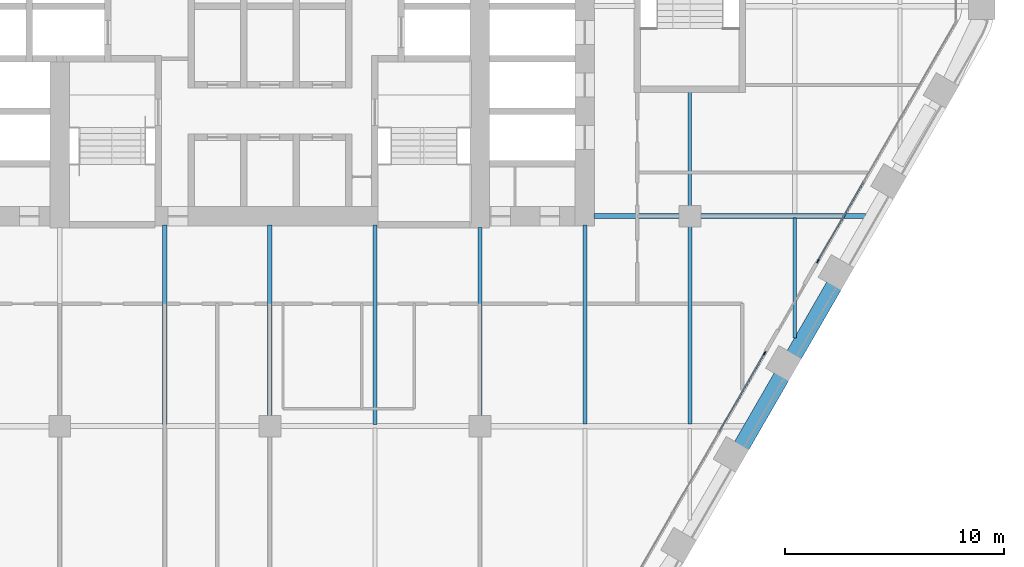
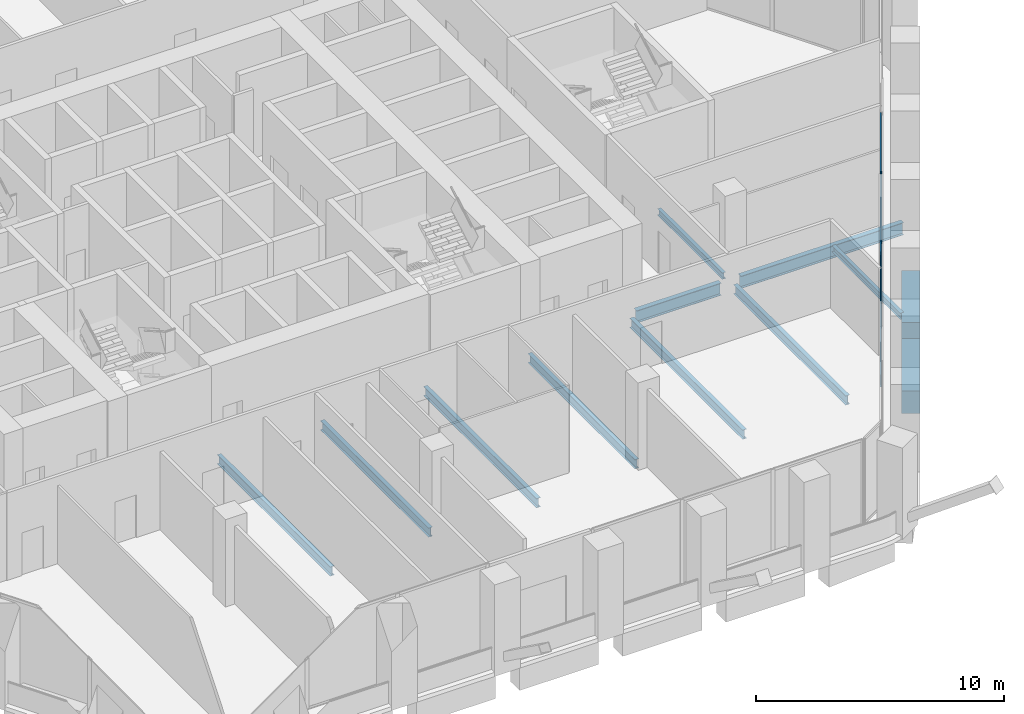
# One storey, part 5 of 26: 12 beams, 6 members, 2 elements without a shape of their own.
"""IFC4 building model written with IfcOpenShell, lengths in metres."""

from ifc_helpers import new_model, si_unit, direction, frame, origin, origin_2d, place, context, subcontext, project, spatial, rectangle, i_section, extrude, material, material_profile, profile_set, type_object, element, aggregate, save


model = new_model("IFC4")

# Units and contexts
model_context = context("Model", 3, precision=1e-05, world=origin(), true_north=direction((0.0, 1.0)))
body_context = subcontext(model_context, "Body", "Model", "MODEL_VIEW")
ifc_project = project(units=[si_unit("LENGTHUNIT", "METRE"), si_unit("AREAUNIT", "SQUARE_METRE"), si_unit("VOLUMEUNIT", "CUBIC_METRE"), si_unit("PLANEANGLEUNIT", "RADIAN"), si_unit("MASSUNIT", "GRAM", prefix="KILO")], contexts=[model_context])

# Site, building, storey
site_placement = place(None, origin())
site = spatial("IfcSite", under=ifc_project, at=site_placement, CompositionType="ELEMENT")
building_placement = place(site_placement, origin())
building = spatial("IfcBuilding", under=site, at=building_placement, Name="Kolab Exchange Tower", CompositionType="ELEMENT")
storey_placement = place(building_placement, frame((0.0, 0.0, 104.89990234375)))
storey = spatial("IfcBuildingStorey", under=building, at=storey_placement, Name="L20", CompositionType="ELEMENT", Elevation=104.89990234375)

# Beams
ifc_material_1 = material(Name="Steel S355", Category="steel")
ifc_material_profile_1 = material_profile(ifc_material_1, i_section(OverallWidth=0.1650390625, OverallDepth=0.31005859375, WebThickness=0.005859375, FlangeThickness=0.009765625, at=origin_2d()), Name="W310X39")
ifc_profile_set_1 = profile_set([ifc_material_profile_1], Name="Steel S355")
beam_type_1 = type_object("IfcBeamType", Name="FLOOR BEAM W310X39", PredefinedType="BEAM", material=ifc_profile_set_1)
beam_1_placement = place(storey_placement, frame((19.199951171875, -9.139892578125, -0.35498046875), z_axis=(0.0, 1.0, 0.0), x_axis=(-1.0, 0.0, 0.0)))
element("IfcBeam", 1, at=beam_1_placement, inside=storey, type_object=beam_type_1, Name="beam/L20/fr/042", PredefinedType="BEAM", context=body_context, shape_type="SweptSolid", body=[
    extrude(i_section(OverallWidth=0.1650390625, OverallDepth=0.31005859375, WebThickness=0.005859375, FlangeThickness=0.009765625, at=origin_2d()), origin(), (0.0, 0.0, 1.0), 5.22998046875),
])
beam_2_placement = place(storey_placement, frame((24.0, -15.167724609375, -0.35498046875), z_axis=(0.0, 1.0, 0.0), x_axis=(-1.0, 0.0, 0.0)))
element("IfcBeam", 2, at=beam_2_placement, inside=storey, type_object=beam_type_1, Name="beam/L20/fr/046", PredefinedType="BEAM", context=body_context, shape_type="SweptSolid", body=[
    extrude(i_section(OverallWidth=0.1650390625, OverallDepth=0.31005859375, WebThickness=0.005859375, FlangeThickness=0.009765625, at=origin_2d()), origin(), (0.0, 0.0, 1.0), 5.49365234375),
])
ifc_material_profile_2 = material_profile(ifc_material_1, i_section(OverallWidth=0.18994140625, OverallDepth=0.45703125, WebThickness=0.009033203125, FlangeThickness=0.014404296875, at=origin_2d()), Name="W460X74")
ifc_profile_set_2 = profile_set([ifc_material_profile_2], Name="Steel S355")
beam_type_2 = type_object("IfcBeamType", Name="FLOOR BEAM W460X74", PredefinedType="BEAM", material=ifc_profile_set_2)
beam_3_placement = place(storey_placement, frame((-4.800048828125, -19.1259765625, -0.428466796875), z_axis=(0.0, 1.0, 0.0), x_axis=(-1.0, 0.0, 0.0)))
element("IfcBeam", 3, at=beam_3_placement, inside=storey, type_object=beam_type_2, Name="beam/L20/fr/021", PredefinedType="BEAM", context=body_context, shape_type="SweptSolid", body=[
    extrude(i_section(OverallWidth=0.18994140625, OverallDepth=0.45703125, WebThickness=0.009033203125, FlangeThickness=0.014404296875, at=origin_2d()), origin(), (0.0, 0.0, 1.0), 9.115966796875),
])
beam_4_placement = place(storey_placement, frame((0.0, -18.739990234375, -0.428466796875), z_axis=(0.0, 1.0, 0.0), x_axis=(-1.0, 0.0, 0.0)))
element("IfcBeam", 4, at=beam_4_placement, inside=storey, type_object=beam_type_2, Name="beam/L20/fr/025", PredefinedType="BEAM", context=body_context, shape_type="SweptSolid", body=[
    extrude(i_section(OverallWidth=0.18994140625, OverallDepth=0.45703125, WebThickness=0.009033203125, FlangeThickness=0.014404296875, at=origin_2d()), origin(), (0.0, 0.0, 1.0), 8.72998046875),
])
beam_5_placement = place(storey_placement, frame((4.800048828125, -19.1259765625, -0.428466796875), z_axis=(0.0, 1.0, 0.0), x_axis=(-1.0, 0.0, 0.0)))
element("IfcBeam", 5, at=beam_5_placement, inside=storey, type_object=beam_type_2, Name="beam/L20/fr/029", PredefinedType="BEAM", context=body_context, shape_type="SweptSolid", body=[
    extrude(i_section(OverallWidth=0.18994140625, OverallDepth=0.45703125, WebThickness=0.009033203125, FlangeThickness=0.014404296875, at=origin_2d()), origin(), (0.0, 0.0, 1.0), 9.115966796875),
])
beam_6_placement = place(storey_placement, frame((9.60009765625, -18.739990234375, -0.428466796875), z_axis=(0.0, 1.0, 0.0), x_axis=(-1.0, 0.0, 0.0)))
element("IfcBeam", 6, at=beam_6_placement, inside=storey, type_object=beam_type_2, Name="beam/L20/fr/033", PredefinedType="BEAM", context=body_context, shape_type="SweptSolid", body=[
    extrude(i_section(OverallWidth=0.18994140625, OverallDepth=0.45703125, WebThickness=0.009033203125, FlangeThickness=0.014404296875, at=origin_2d()), origin(), (0.0, 0.0, 1.0), 8.6298828125),
])
beam_7_placement = place(storey_placement, frame((14.39990234375, -19.1064453125, -0.428466796875), z_axis=(0.0, 1.0, 0.0), x_axis=(-1.0, 0.0, 0.0)))
element("IfcBeam", 7, at=beam_7_placement, inside=storey, type_object=beam_type_2, Name="beam/L20/fr/037", PredefinedType="BEAM", context=body_context, shape_type="SweptSolid", body=[
    extrude(i_section(OverallWidth=0.18994140625, OverallDepth=0.45703125, WebThickness=0.009033203125, FlangeThickness=0.014404296875, at=origin_2d()), origin(), (0.0, 0.0, 1.0), 9.096435546875),
])
beam_8_placement = place(storey_placement, frame((19.199951171875, -19.1064453125, -0.428466796875), z_axis=(0.0, 1.0, 0.0), x_axis=(-1.0, 0.0, 0.0)))
element("IfcBeam", 8, at=beam_8_placement, inside=storey, type_object=beam_type_2, Name="beam/L20/fr/041", PredefinedType="BEAM", context=body_context, shape_type="SweptSolid", body=[
    extrude(i_section(OverallWidth=0.18994140625, OverallDepth=0.45703125, WebThickness=0.009033203125, FlangeThickness=0.014404296875, at=origin_2d()), origin(), (0.0, 0.0, 1.0), 9.04638671875),
])
ifc_material_profile_3 = material_profile(ifc_material_1, i_section(OverallWidth=0.22802734375, OverallDepth=0.60791015625, WebThickness=0.01123046875, FlangeThickness=0.017333984375, at=origin_2d()), Name="W610X113")
ifc_profile_set_3 = profile_set([ifc_material_profile_3], Name="Steel S355")
beam_type_3 = type_object("IfcBeamType", Name="FLOOR GIRDER W610X113", PredefinedType="BEAM", material=ifc_profile_set_3)
beam_9_placement = place(storey_placement, frame((14.81005859375, -9.60009765625, -0.50390625), z_axis=(1.0, 0.0, 0.0), x_axis=(0.0, 1.0, 0.0)))
element("IfcBeam", 9, at=beam_9_placement, inside=storey, type_object=beam_type_3, Name="beam/L20/gd/014", PredefinedType="BEAM", context=body_context, shape_type="SweptSolid", body=[
    extrude(i_section(OverallWidth=0.22802734375, OverallDepth=0.60791015625, WebThickness=0.01123046875, FlangeThickness=0.017333984375, at=origin_2d()), origin(), (0.0, 0.0, 1.0), 3.929931640625),
])
beam_10_placement = place(storey_placement, frame((19.659912109375, -9.60009765625, -0.50390625), z_axis=(1.0, 0.0, 0.0), x_axis=(0.0, 1.0, 0.0)))
element("IfcBeam", 10, at=beam_10_placement, inside=storey, type_object=beam_type_3, Name="beam/L20/gd/017", PredefinedType="BEAM", context=body_context, shape_type="SweptSolid", body=[
    extrude(i_section(OverallWidth=0.22802734375, OverallDepth=0.60791015625, WebThickness=0.01123046875, FlangeThickness=0.017333984375, at=origin_2d()), origin(), (0.0, 0.0, 1.0), 7.571533203125),
])
ifc_material_2 = material(Name="Concrete C70/85", Category="concrete")
ifc_material_profile_4 = material_profile(ifc_material_2, rectangle(XDim=0.75, YDim=1.10009765625, at=origin_2d()), Name="RC750X1100")
ifc_profile_set_4 = profile_set([ifc_material_profile_4], Name="Concrete C70/85")
beam_type_4 = type_object("IfcBeamType", Name="SPANDREL BEAM 750X1100 C70/85", PredefinedType="BEAM", material=ifc_profile_set_4)
beam_11_placement = place(storey_placement, frame((25.795166015625, -12.768310546875, -0.75), z_axis=(-0.499963655964, -0.866046386007, 0.0), x_axis=(0.866046386007, -0.499963655964, 0.0)))
element("IfcBeam", 11, at=beam_11_placement, inside=storey, type_object=beam_type_4, Name="beam/L20/sp/F3-04", PredefinedType="BEAM", context=body_context, shape_type="SweptSolid", body=[
    extrude(rectangle(XDim=0.75, YDim=1.10009765625, at=origin_2d()), origin(), (0.0, 0.0, 1.0), 3.679931640625),
])
beam_12_placement = place(storey_placement, frame((23.395263671875, -16.925048828125, -0.75), z_axis=(-0.500013413428, -0.866017659399, 0.0), x_axis=(0.866017659399, -0.500013413428, 0.0)))
element("IfcBeam", 12, at=beam_12_placement, inside=storey, type_object=beam_type_4, Name="beam/L20/sp/F3-05", PredefinedType="BEAM", context=body_context, shape_type="SweptSolid", body=[
    extrude(rectangle(XDim=0.75, YDim=1.10009765625, at=origin_2d()), origin(), (0.0, 0.0, 1.0), 3.68017578125),
])

# Curtain wall, member
ifc_material_3 = material(Name="Aluminium EN AW-6063 T6", Category="aluminium")
curtain_wall_type = type_object("IfcCurtainWallType", Name="UNITISED LOWER MID ZONE CURTAIN WALL", PredefinedType="NOTDEFINED", material=ifc_material_3)
curtain_wall_1_placement = place(storey_placement, origin())
curtain_wall_1 = element("IfcCurtainWall", 13, at=curtain_wall_1_placement, inside=storey, type_object=curtain_wall_type, Name="cw/L20/F3-1", PredefinedType="NOTDEFINED")
ifc_material_profile_5 = material_profile(ifc_material_3, rectangle(XDim=0.06005859375, YDim=0.179931640625, at=origin_2d()), Name="RECT 60X180")
ifc_profile_set_5 = profile_set([ifc_material_profile_5], Name="Aluminium EN AW-6063 T6")
member_type_1 = type_object("IfcMemberType", Name="UNITISED LOWER MID ZONE MULLION 60 X 180", PredefinedType="MULLION", material=ifc_profile_set_5)
member_1_placement = place(storey_placement, frame((25.046630859375, -11.65478515625, 0.0), z_axis=(0.0, 0.0, 1.0), x_axis=(0.866025427826, -0.499999958358, 0.0)))
member_1 = element("IfcMember", 14, at=member_1_placement, type_object=member_type_1, Name="CW2 mullion 4", PredefinedType="MULLION", context=body_context, shape_type="SweptSolid", body=[
    extrude(rectangle(XDim=0.06005859375, YDim=0.179931640625, at=origin_2d()), origin(), (0.0, 0.0, 1.0), 4.2001953125),
])

curtain_wall_2_placement = place(storey_placement, origin())
curtain_wall_2 = element("IfcCurtainWall", 15, at=curtain_wall_2_placement, inside=storey, type_object=curtain_wall_type, Name="cw/L20/F3-2", PredefinedType="NOTDEFINED")
member_2_placement = place(storey_placement, frame((22.61669921875, -15.86376953125, 0.0), z_axis=(0.0, 0.0, 1.0), x_axis=(0.866025393644, -0.500000017564, 0.0)))
member_2 = element("IfcMember", 16, at=member_2_placement, type_object=member_type_1, Name="CW2 mullion 1", PredefinedType="MULLION", context=body_context, shape_type="SweptSolid", body=[
    extrude(rectangle(XDim=0.06005859375, YDim=0.179931640625, at=origin_2d()), origin(), (0.0, 0.0, 1.0), 4.2001953125),
])

# Member
ifc_material_profile_6 = material_profile(ifc_material_3, rectangle(XDim=0.06005859375, YDim=0.1201171875, at=origin_2d()), Name="RECT 60X120")
ifc_profile_set_6 = profile_set([ifc_material_profile_6], Name="Aluminium EN AW-6063 T6")
member_type_2 = type_object("IfcMemberType", Name="UNITISED LOWER MID ZONE TRANSOM 60 X 120", PredefinedType="USERDEFINED", material=ifc_profile_set_6)
member_3_placement = place(storey_placement, frame((27.1279296875, -8.0498046875, 0.030029296875), z_axis=(-0.499957688808, -0.866049830784, 0.0), x_axis=(0.866049830784, -0.499957688808, 0.0)))
member_3 = element("IfcMember", 17, at=member_3_placement, type_object=member_type_2, Name="CW2 transom 3.1", ObjectType="TRANSOM", PredefinedType="USERDEFINED", context=body_context, shape_type="SweptSolid", body=[
    extrude(rectangle(XDim=0.06005859375, YDim=0.1201171875, at=origin_2d()), origin(), (0.0, 0.0, 1.0), 4.132568359375),
])

member_4_placement = place(storey_placement, frame((27.1279296875, -8.0498046875, 4.170166015625), z_axis=(-0.499957688808, -0.866049830784, 0.0), x_axis=(0.866049830784, -0.499957688808, 0.0)))
member_4 = element("IfcMember", 18, at=member_4_placement, type_object=member_type_2, Name="CW2 transom 3.2", ObjectType="TRANSOM", PredefinedType="USERDEFINED", context=body_context, shape_type="SweptSolid", body=[
    extrude(rectangle(XDim=0.06005859375, YDim=0.1201171875, at=origin_2d()), origin(), (0.0, 0.0, 1.0), 4.132568359375),
])

aggregate(curtain_wall_1, [member_1, member_3, member_4])

member_5_placement = place(storey_placement, frame((22.6015625, -15.8896484375, 0.030029296875), z_axis=(-0.499957688808, -0.866049830784, 0.0), x_axis=(0.866049830784, -0.499957688808, 0.0)))
member_5 = element("IfcMember", 19, at=member_5_placement, type_object=member_type_2, Name="CW2 transom 1.1", ObjectType="TRANSOM", PredefinedType="USERDEFINED", context=body_context, shape_type="SweptSolid", body=[
    extrude(rectangle(XDim=0.06005859375, YDim=0.1201171875, at=origin_2d()), origin(), (0.0, 0.0, 1.0), 4.132568359375),
])

member_6_placement = place(storey_placement, frame((22.6015625, -15.8896484375, 4.170166015625), z_axis=(-0.499957688808, -0.866049830784, 0.0), x_axis=(0.866049830784, -0.499957688808, 0.0)))
member_6 = element("IfcMember", 20, at=member_6_placement, type_object=member_type_2, Name="CW2 transom 1.2", ObjectType="TRANSOM", PredefinedType="USERDEFINED", context=body_context, shape_type="SweptSolid", body=[
    extrude(rectangle(XDim=0.06005859375, YDim=0.1201171875, at=origin_2d()), origin(), (0.0, 0.0, 1.0), 4.132568359375),
])

aggregate(curtain_wall_2, [member_2, member_5, member_6])

save(model, "model.ifc")
